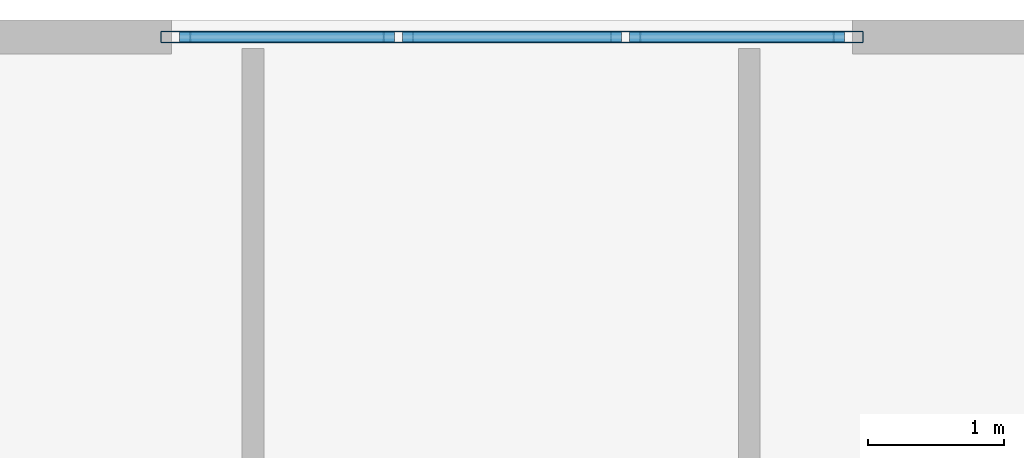
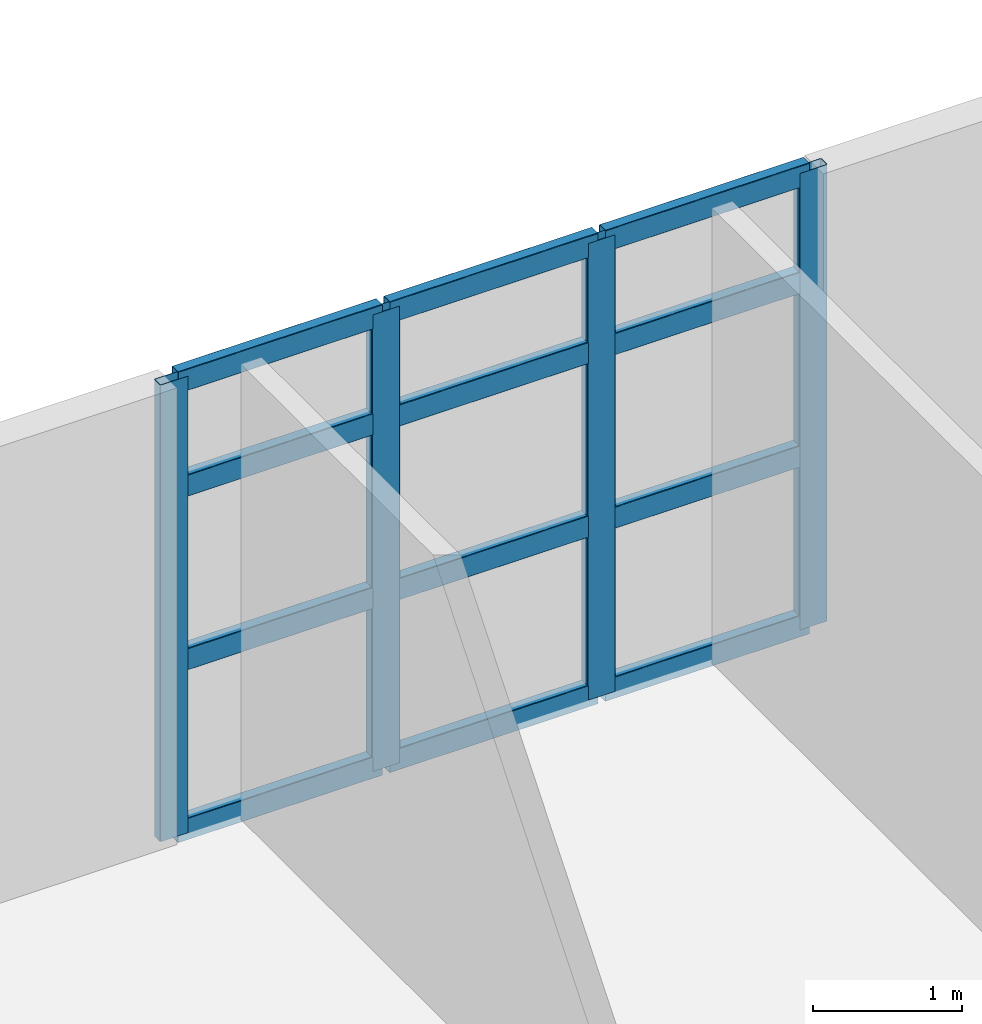
# One storey, part 8 of 16: 16 members, 1 element without a shape of its own.
"""IFC4 building model written with IfcOpenShell, lengths in metres."""

from ifc_helpers import new_model, si_unit, direction, frame, origin, origin_2d, place, context, subcontext, project, spatial, hollow_rectangle, extrude, material, layer, layer_set, material_profile, profile_set, type_object, element, aggregate, save


model = new_model("IFC4")

# Units and contexts
model_context = context("Model", 3, precision=1e-05, world=origin(), true_north=direction((0.0, 1.0)))
body_context = subcontext(model_context, "Body", "Model", "MODEL_VIEW")
ifc_project = project(units=[si_unit("LENGTHUNIT", "METRE"), si_unit("AREAUNIT", "SQUARE_METRE"), si_unit("VOLUMEUNIT", "CUBIC_METRE"), si_unit("PLANEANGLEUNIT", "RADIAN"), si_unit("MASSUNIT", "GRAM", prefix="KILO")], contexts=[model_context])

# Site, building, storey
site_placement = place(None, origin())
site = spatial("IfcSite", under=ifc_project, at=site_placement, CompositionType="ELEMENT")
building_placement = place(site_placement, origin())
building = spatial("IfcBuilding", under=site, at=building_placement, Name="Qingluan Cross Belvedere", CompositionType="ELEMENT")
storey_placement = place(building_placement, frame((0.0, 0.0, 308.39990234375)))
storey = spatial("IfcBuildingStorey", under=building, at=storey_placement, Name="L76", CompositionType="ELEMENT", Elevation=308.39990234375)

# Curtain wall, members
ifc_material_1 = material(Name="Thermally broken aluminium and Low-E glass", Category="aluminium")
ifc_layer = layer(ifc_material_1, 0.199951171875, Name="ObservationCW_SkyRestaurant")
ifc_layer_set = layer_set([ifc_layer], Name="Thermally broken aluminium and Low-E glass")
curtain_wall_type = type_object("IfcCurtainWallType", Name="ObservationCW_SkyRestaurant", PredefinedType="USERDEFINED", material=ifc_layer_set)
curtain_wall_placement = place(storey_placement, origin())
curtain_wall = element("IfcCurtainWall", 1, at=curtain_wall_placement, inside=storey, type_object=curtain_wall_type, Name="ObservationCW_SkyRestaurant run env:cw:L76:N", ObjectType="OBSERVATION GLAZING WALL", PredefinedType="USERDEFINED")
ifc_material_2 = material(Name="Aluminium alloy 6063-T6", Category="aluminium")
ifc_material_profile_1 = material_profile(ifc_material_2, hollow_rectangle(XDim=0.0849609375, YDim=0.219970703125, WallThickness=0.0048828125, InnerFilletRadius=0.0048828125, OuterFilletRadius=0.010009765625, at=origin_2d()), Name="CWM220x85x5")
ifc_profile_set_1 = profile_set([ifc_material_profile_1], Name="Aluminium alloy 6063-T6")
member_type_1 = type_object("IfcMemberType", Name="CWMullion_220", PredefinedType="MULLION", material=ifc_profile_set_1)
member_1_placement = place(storey_placement, frame((2.468017578125, 21.780029296875, 0.0), z_axis=(0.0, 0.0, 1.0), x_axis=(0.0, -1.0, 0.0)))
member_1 = element("IfcMember", 2, at=member_1_placement, type_object=member_type_1, Name="CW-C2 mullion 1", PredefinedType="MULLION", context=body_context, shape_type="SweptSolid", body=[
    extrude(hollow_rectangle(XDim=0.0849609375, YDim=0.219970703125, WallThickness=0.0048828125, InnerFilletRadius=0.0048828125, OuterFilletRadius=0.010009765625, at=origin_2d()), origin(), (0.0, 0.0, 1.0), 3.72998046875),
])
member_2_placement = place(storey_placement, frame((0.832763671875, 21.780029296875, 0.0), z_axis=(0.0, 0.0, 1.0), x_axis=(0.0, -1.0, 0.0)))
member_2 = element("IfcMember", 3, at=member_2_placement, type_object=member_type_1, Name="CW-C2 mullion 2", PredefinedType="MULLION", context=body_context, shape_type="SweptSolid", body=[
    extrude(hollow_rectangle(XDim=0.0849609375, YDim=0.219970703125, WallThickness=0.0048828125, InnerFilletRadius=0.0048828125, OuterFilletRadius=0.010009765625, at=origin_2d()), origin(), (0.0, 0.0, 1.0), 3.72998046875),
])
member_3_placement = place(storey_placement, frame((-0.832763671875, 21.780029296875, 0.0), z_axis=(0.0, 0.0, 1.0), x_axis=(0.0, -1.0, 0.0)))
member_3 = element("IfcMember", 4, at=member_3_placement, type_object=member_type_1, Name="CW-C2 mullion 3", PredefinedType="MULLION", context=body_context, shape_type="SweptSolid", body=[
    extrude(hollow_rectangle(XDim=0.0849609375, YDim=0.219970703125, WallThickness=0.0048828125, InnerFilletRadius=0.0048828125, OuterFilletRadius=0.010009765625, at=origin_2d()), origin(), (0.0, 0.0, 1.0), 3.72998046875),
])
member_4_placement = place(storey_placement, frame((-2.468017578125, 21.780029296875, 0.0), z_axis=(0.0, 0.0, 1.0), x_axis=(0.0, -1.0, 0.0)))
member_4 = element("IfcMember", 5, at=member_4_placement, type_object=member_type_1, Name="CW-C2 mullion 4", PredefinedType="MULLION", context=body_context, shape_type="SweptSolid", body=[
    extrude(hollow_rectangle(XDim=0.0849609375, YDim=0.219970703125, WallThickness=0.0048828125, InnerFilletRadius=0.0048828125, OuterFilletRadius=0.010009765625, at=origin_2d()), origin(), (0.0, 0.0, 1.0), 3.72998046875),
])
ifc_material_3 = material(Name="Aluminium alloy 6063-T6", Category="aluminium")
ifc_material_profile_2 = material_profile(ifc_material_3, hollow_rectangle(XDim=0.0849609375, YDim=0.179931640625, WallThickness=0.00390625, InnerFilletRadius=0.00390625, OuterFilletRadius=0.008056640625, at=origin_2d()), Name="CWT180x85x4")
ifc_profile_set_2 = profile_set([ifc_material_profile_2], Name="Aluminium alloy 6063-T6")
member_type_2 = type_object("IfcMemberType", Name="CWTransom_180", PredefinedType="USERDEFINED", material=ifc_profile_set_2)
member_5_placement = place(storey_placement, frame((2.43798828125, 21.780029296875, 0.030029296875), z_axis=(-1.0, 0.0, 0.0), x_axis=(0.0, -1.0, 0.0)))
member_5 = element("IfcMember", 6, at=member_5_placement, type_object=member_type_2, Name="CW-C2 transom 1.1", ObjectType="TRANSOM", PredefinedType="USERDEFINED", context=body_context, shape_type="SweptSolid", body=[
    extrude(hollow_rectangle(XDim=0.0849609375, YDim=0.179931640625, WallThickness=0.00390625, InnerFilletRadius=0.00390625, OuterFilletRadius=0.008056640625, at=origin_2d()), origin(), (0.0, 0.0, 1.0), 1.575439453125),
])
member_6_placement = place(storey_placement, frame((2.43798828125, 21.780029296875, 1.4169921875), z_axis=(-1.0, 0.0, 0.0), x_axis=(0.0, -1.0, 0.0)))
member_6 = element("IfcMember", 7, at=member_6_placement, type_object=member_type_2, Name="CW-C2 transom 1.2", ObjectType="TRANSOM", PredefinedType="USERDEFINED", context=body_context, shape_type="SweptSolid", body=[
    extrude(hollow_rectangle(XDim=0.0849609375, YDim=0.179931640625, WallThickness=0.00390625, InnerFilletRadius=0.00390625, OuterFilletRadius=0.008056640625, at=origin_2d()), origin(), (0.0, 0.0, 1.0), 1.575439453125),
])
member_7_placement = place(storey_placement, frame((2.43798828125, 21.780029296875, 2.835205078125), z_axis=(-1.0, 0.0, 0.0), x_axis=(0.0, -1.0, 0.0)))
member_7 = element("IfcMember", 8, at=member_7_placement, type_object=member_type_2, Name="CW-C2 transom 1.3", ObjectType="TRANSOM", PredefinedType="USERDEFINED", context=body_context, shape_type="SweptSolid", body=[
    extrude(hollow_rectangle(XDim=0.0849609375, YDim=0.179931640625, WallThickness=0.00390625, InnerFilletRadius=0.00390625, OuterFilletRadius=0.008056640625, at=origin_2d()), origin(), (0.0, 0.0, 1.0), 1.575439453125),
])
member_8_placement = place(storey_placement, frame((2.43798828125, 21.780029296875, 3.7001953125), z_axis=(-1.0, 0.0, 0.0), x_axis=(0.0, -1.0, 0.0)))
member_8 = element("IfcMember", 9, at=member_8_placement, type_object=member_type_2, Name="CW-C2 transom 1.4", ObjectType="TRANSOM", PredefinedType="USERDEFINED", context=body_context, shape_type="SweptSolid", body=[
    extrude(hollow_rectangle(XDim=0.0849609375, YDim=0.179931640625, WallThickness=0.00390625, InnerFilletRadius=0.00390625, OuterFilletRadius=0.008056640625, at=origin_2d()), origin(), (0.0, 0.0, 1.0), 1.575439453125),
])
member_9_placement = place(storey_placement, frame((0.802734375, 21.780029296875, 0.030029296875), z_axis=(-1.0, 0.0, 0.0), x_axis=(0.0, -1.0, 0.0)))
member_9 = element("IfcMember", 10, at=member_9_placement, type_object=member_type_2, Name="CW-C2 transom 2.1", ObjectType="TRANSOM", PredefinedType="USERDEFINED", context=body_context, shape_type="SweptSolid", body=[
    extrude(hollow_rectangle(XDim=0.0849609375, YDim=0.179931640625, WallThickness=0.00390625, InnerFilletRadius=0.00390625, OuterFilletRadius=0.008056640625, at=origin_2d()), origin(), (0.0, 0.0, 1.0), 1.60546875),
])
member_10_placement = place(storey_placement, frame((0.802734375, 21.780029296875, 1.4169921875), z_axis=(-1.0, 0.0, 0.0), x_axis=(0.0, -1.0, 0.0)))
member_10 = element("IfcMember", 11, at=member_10_placement, type_object=member_type_2, Name="CW-C2 transom 2.2", ObjectType="TRANSOM", PredefinedType="USERDEFINED", context=body_context, shape_type="SweptSolid", body=[
    extrude(hollow_rectangle(XDim=0.0849609375, YDim=0.179931640625, WallThickness=0.00390625, InnerFilletRadius=0.00390625, OuterFilletRadius=0.008056640625, at=origin_2d()), origin(), (0.0, 0.0, 1.0), 1.60546875),
])
member_11_placement = place(storey_placement, frame((0.802734375, 21.780029296875, 2.835205078125), z_axis=(-1.0, 0.0, 0.0), x_axis=(0.0, -1.0, 0.0)))
member_11 = element("IfcMember", 12, at=member_11_placement, type_object=member_type_2, Name="CW-C2 transom 2.3", ObjectType="TRANSOM", PredefinedType="USERDEFINED", context=body_context, shape_type="SweptSolid", body=[
    extrude(hollow_rectangle(XDim=0.0849609375, YDim=0.179931640625, WallThickness=0.00390625, InnerFilletRadius=0.00390625, OuterFilletRadius=0.008056640625, at=origin_2d()), origin(), (0.0, 0.0, 1.0), 1.60546875),
])
member_12_placement = place(storey_placement, frame((0.802734375, 21.780029296875, 3.7001953125), z_axis=(-1.0, 0.0, 0.0), x_axis=(0.0, -1.0, 0.0)))
member_12 = element("IfcMember", 13, at=member_12_placement, type_object=member_type_2, Name="CW-C2 transom 2.4", ObjectType="TRANSOM", PredefinedType="USERDEFINED", context=body_context, shape_type="SweptSolid", body=[
    extrude(hollow_rectangle(XDim=0.0849609375, YDim=0.179931640625, WallThickness=0.00390625, InnerFilletRadius=0.00390625, OuterFilletRadius=0.008056640625, at=origin_2d()), origin(), (0.0, 0.0, 1.0), 1.60546875),
])
member_13_placement = place(storey_placement, frame((-0.862548828125, 21.780029296875, 0.030029296875), z_axis=(-1.0, 0.0, 0.0), x_axis=(0.0, -1.0, 0.0)))
member_13 = element("IfcMember", 14, at=member_13_placement, type_object=member_type_2, Name="CW-C2 transom 3.1", ObjectType="TRANSOM", PredefinedType="USERDEFINED", context=body_context, shape_type="SweptSolid", body=[
    extrude(hollow_rectangle(XDim=0.0849609375, YDim=0.179931640625, WallThickness=0.00390625, InnerFilletRadius=0.00390625, OuterFilletRadius=0.008056640625, at=origin_2d()), origin(), (0.0, 0.0, 1.0), 1.575439453125),
])
member_14_placement = place(storey_placement, frame((-0.862548828125, 21.780029296875, 1.4169921875), z_axis=(-1.0, 0.0, 0.0), x_axis=(0.0, -1.0, 0.0)))
member_14 = element("IfcMember", 15, at=member_14_placement, type_object=member_type_2, Name="CW-C2 transom 3.2", ObjectType="TRANSOM", PredefinedType="USERDEFINED", context=body_context, shape_type="SweptSolid", body=[
    extrude(hollow_rectangle(XDim=0.0849609375, YDim=0.179931640625, WallThickness=0.00390625, InnerFilletRadius=0.00390625, OuterFilletRadius=0.008056640625, at=origin_2d()), origin(), (0.0, 0.0, 1.0), 1.575439453125),
])
member_15_placement = place(storey_placement, frame((-0.862548828125, 21.780029296875, 2.835205078125), z_axis=(-1.0, 0.0, 0.0), x_axis=(0.0, -1.0, 0.0)))
member_15 = element("IfcMember", 16, at=member_15_placement, type_object=member_type_2, Name="CW-C2 transom 3.3", ObjectType="TRANSOM", PredefinedType="USERDEFINED", context=body_context, shape_type="SweptSolid", body=[
    extrude(hollow_rectangle(XDim=0.0849609375, YDim=0.179931640625, WallThickness=0.00390625, InnerFilletRadius=0.00390625, OuterFilletRadius=0.008056640625, at=origin_2d()), origin(), (0.0, 0.0, 1.0), 1.575439453125),
])
member_16_placement = place(storey_placement, frame((-0.862548828125, 21.780029296875, 3.7001953125), z_axis=(-1.0, 0.0, 0.0), x_axis=(0.0, -1.0, 0.0)))
member_16 = element("IfcMember", 17, at=member_16_placement, type_object=member_type_2, Name="CW-C2 transom 3.4", ObjectType="TRANSOM", PredefinedType="USERDEFINED", context=body_context, shape_type="SweptSolid", body=[
    extrude(hollow_rectangle(XDim=0.0849609375, YDim=0.179931640625, WallThickness=0.00390625, InnerFilletRadius=0.00390625, OuterFilletRadius=0.008056640625, at=origin_2d()), origin(), (0.0, 0.0, 1.0), 1.575439453125),
])
aggregate(curtain_wall, [member_1, member_2, member_3, member_4, member_5, member_6, member_7, member_8, member_9, member_10, member_11, member_12, member_13, member_14, member_15, member_16])

save(model, "model.ifc")
